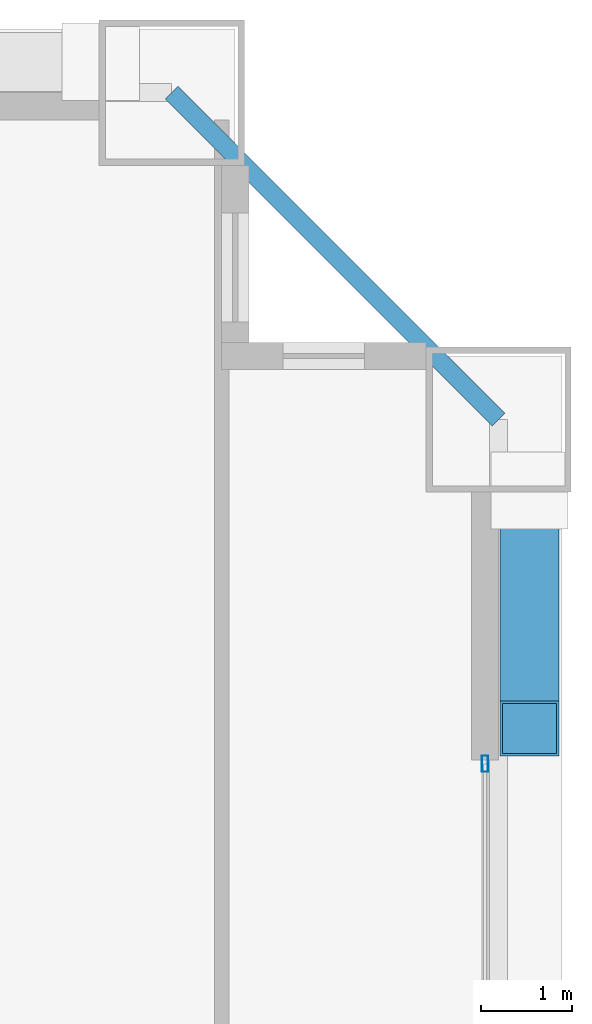
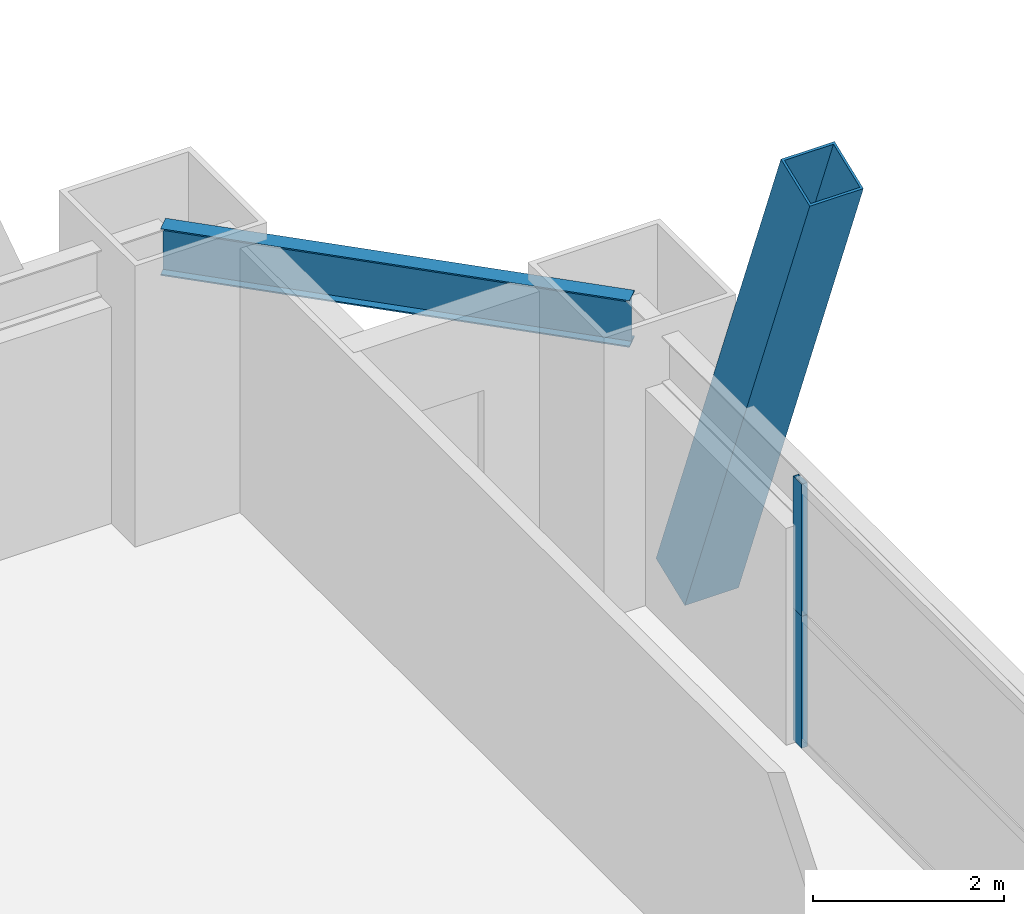
# One storey, part 34 of 43: 3 members, 1 beam, 1 element without a shape of its own.
"""IFC4 building model written with IfcOpenShell, lengths in metres."""

import ifcopenshell
import ifcopenshell.guid

model = None  # the IFC model being written
_history = None  # IfcOwnerHistory: only IFC2X3 demands one
_inside = {}  # id of a spatial element -> (the spatial element, [elements in it])
_under = {}  # id of a project, library or spatial element -> (it, [spatial elements below it])
_declared = {}  # id of a project -> (the project, [libraries it declares])
_typed = {}  # id of a type object -> (the type object, [elements of that type])
_made_of = {}  # id of a material, layer set ... -> (it, [elements and type objects made of it])


def new_model(schema):
    """Start an empty IFC model of exactly this schema.

    Asked for "IFC4X3", IfcOpenShell would pick the latest addendum, in which some entities
    have other attributes; the version numbers below select the first issue.
    IFC2X3 requires an IfcOwnerHistory on every rooted entity: one is made here for all.
    """
    global model, _history
    if schema == "IFC4X3":
        model = ifcopenshell.file(schema_version=(4, 3, 0, 0))
    else:
        model = ifcopenshell.file(schema=schema)
    _inside.clear()
    _under.clear()
    _declared.clear()
    _typed.clear()
    _made_of.clear()
    _history = None
    if model.schema == "IFC2X3":
        org = make("IfcOrganization", Name="unknown")
        user = make(
            "IfcPersonAndOrganization",
            ThePerson=make("IfcPerson", FamilyName="unknown"),
            TheOrganization=org,
        )
        app = make(
            "IfcApplication",
            ApplicationDeveloper=org,
            Version="unknown",
            ApplicationFullName="unknown",
            ApplicationIdentifier="unknown",
        )
        _history = make(
            "IfcOwnerHistory",
            OwningUser=user,
            OwningApplication=app,
            ChangeAction="ADDED",
            CreationDate=0,
        )
    return model


def make(cls, **values):
    """One entity of the class cls with the attributes given. An attribute that is None is left unset."""
    return model.create_entity(
        cls, **{name: value for name, value in values.items() if value is not None}
    )


def rooted(cls, **values):
    """An entity with a GlobalId (a new one), such as an element, a storey or a relation."""
    return make(cls, GlobalId=ifcopenshell.guid.new(), OwnerHistory=_history, **values)


def si_unit(unit_type, name, prefix=None):
    """IfcSIUnit, for example si_unit("LENGTHUNIT", "METRE", prefix="MILLI")."""
    return make("IfcSIUnit", UnitType=unit_type, Prefix=prefix, Name=name)


def assignment(units):
    """IfcUnitAssignment: the units of a project."""
    return None if units is None else make("IfcUnitAssignment", Units=units)


def point(xyz):
    """IfcCartesianPoint."""
    return None if xyz is None else make("IfcCartesianPoint", Coordinates=xyz)


def direction(xyz):
    """IfcDirection."""
    return None if xyz is None else make("IfcDirection", DirectionRatios=xyz)


def frame(location, z_axis=None, x_axis=None):
    """IfcAxis2Placement3D, a coordinate frame: its origin and axes. An axis left out is left unset."""
    return make(
        "IfcAxis2Placement3D",
        Location=point(location),
        Axis=direction(z_axis),
        RefDirection=direction(x_axis),
    )


def frame_2d(location, x_axis=None):
    """IfcAxis2Placement2D, a coordinate frame in the plane: its origin and x axis."""
    return make(
        "IfcAxis2Placement2D", Location=point(location), RefDirection=direction(x_axis)
    )


def origin():
    """The frame at (0, 0, 0) with its axes left unset."""
    return frame((0.0, 0.0, 0.0))


def origin_2d():
    """The frame at (0, 0) in the plane with its x axis left unset."""
    return frame_2d((0.0, 0.0))


def place(relative_to, where):
    """IfcLocalPlacement: puts the frame where relative to a parent placement (None: the world)."""
    return make(
        "IfcLocalPlacement", PlacementRelTo=relative_to, RelativePlacement=where
    )


def context(
    kind, dimensions, precision=None, world=None, true_north=None, identifier=None
):
    """IfcGeometricRepresentationContext, for example the 3D "Model" context."""
    return make(
        "IfcGeometricRepresentationContext",
        ContextIdentifier=identifier,
        ContextType=kind,
        CoordinateSpaceDimension=dimensions,
        Precision=precision,
        WorldCoordinateSystem=world,
        TrueNorth=true_north,
    )


def subcontext(parent, identifier, kind, view, scale=None):
    """IfcGeometricRepresentationSubContext, for example "Body" below "Model"."""
    return make(
        "IfcGeometricRepresentationSubContext",
        ContextIdentifier=identifier,
        ContextType=kind,
        ParentContext=parent,
        TargetScale=scale,
        TargetView=view,
    )


def project(units=None, contexts=None):
    """IfcProject with its units and contexts."""
    return rooted(
        "IfcProject",
        Name="project",
        RepresentationContexts=contexts,
        UnitsInContext=assignment(units),
    )


def spatial(cls, under=None, at=None, **own):
    """A site, building, storey or space (cls), placed at a placement, below another one or the project."""
    s = rooted(cls, ObjectPlacement=at, **own)
    if under is not None:
        _under.setdefault(under.id(), (under, []))[1].append(s)
    return s


def profile(cls, at=None, kind="AREA", **sizes):
    """A parametric profile (cls). Its sizes go by their IFC names, for example OverallWidth=200.0."""
    return make(cls, ProfileType=kind, Position=at, **sizes)


def hollow_rectangle(**sizes):
    """IfcRectangleHollowProfileDef."""
    return profile("IfcRectangleHollowProfileDef", **sizes)


def i_section(**sizes):
    """IfcIShapeProfileDef."""
    return profile("IfcIShapeProfileDef", **sizes)


def extrude(swept, where, along, depth):
    """IfcExtrudedAreaSolid: the profile swept, set in the frame where, extruded along a direction by depth."""
    return make(
        "IfcExtrudedAreaSolid",
        SweptArea=swept,
        Position=where,
        ExtrudedDirection=direction(along),
        Depth=depth,
    )


def shape(context_of_items, identifier, shape_type, items):
    """IfcShapeRepresentation: the items that make up one representation, for example the "Body"."""
    return make(
        "IfcShapeRepresentation",
        ContextOfItems=context_of_items,
        RepresentationIdentifier=identifier,
        RepresentationType=shape_type,
        Items=items,
    )


def source(mapping_origin, context_of_items, identifier, shape_type, items):
    """IfcRepresentationMap: a shape defined once, which mapped items show again and again."""
    return make(
        "IfcRepresentationMap",
        MappingOrigin=mapping_origin,
        MappedRepresentation=shape(context_of_items, identifier, shape_type, items),
    )


def transform(
    local_origin,
    x_axis=None,
    y_axis=None,
    z_axis=None,
    scale=None,
    scale2=None,
    scale3=None,
    uniform=True,
):
    """IfcCartesianTransformationOperator3D, or its non-uniform kind. x_axis, y_axis, z_axis: its Axis1, 2, 3."""
    if uniform:
        return make(
            "IfcCartesianTransformationOperator3D",
            Axis1=direction(x_axis),
            Axis2=direction(y_axis),
            LocalOrigin=point(local_origin),
            Scale=scale,
            Axis3=direction(z_axis),
        )
    return make(
        "IfcCartesianTransformationOperator3DnonUniform",
        Axis1=direction(x_axis),
        Axis2=direction(y_axis),
        LocalOrigin=point(local_origin),
        Scale=scale,
        Axis3=direction(z_axis),
        Scale2=scale2,
        Scale3=scale3,
    )


def mapped(mapping_source, mapping_target):
    """IfcMappedItem: shows the shape of a source again, moved by a transform."""
    return make(
        "IfcMappedItem", MappingSource=mapping_source, MappingTarget=mapping_target
    )


def material(Name=None, Category=None):
    """IfcMaterial."""
    return make("IfcMaterial", Name=Name, Category=Category)


def layer(
    of_material, thickness, ventilated=None, Name=None, Category=None, Priority=None
):
    """IfcMaterialLayer: one layer of a wall or slab, of a material (None: an air gap)."""
    return make(
        "IfcMaterialLayer",
        Material=of_material,
        LayerThickness=thickness,
        IsVentilated=ventilated,
        Name=Name,
        Category=Category,
        Priority=Priority,
    )


def layer_set(layers, Name=None):
    """IfcMaterialLayerSet."""
    return make("IfcMaterialLayerSet", MaterialLayers=layers, LayerSetName=Name)


def material_profile(
    of_material, cross_section, Name=None, Category=None, Priority=None
):
    """IfcMaterialProfile: a cross section and its material."""
    return make(
        "IfcMaterialProfile",
        Name=Name,
        Material=of_material,
        Profile=cross_section,
        Priority=Priority,
        Category=Category,
    )


def profile_set(profiles, Name=None, composite=None):
    """IfcMaterialProfileSet."""
    return make(
        "IfcMaterialProfileSet",
        Name=Name,
        MaterialProfiles=profiles,
        CompositeProfile=composite,
    )


def made_of(thing, what):
    """Note that an element or type object is made of a material, layer set ...; save() writes the relation."""
    if what is not None:
        _made_of.setdefault(what.id(), (what, []))[1].append(thing)
    return thing


def type_object(cls, material=None, **own):
    """A type object (cls), such as IfcWallType, which elements share."""
    return made_of(rooted(cls, **own), material)


def element(
    cls,
    number,
    at=None,
    inside=None,
    cuts=None,
    type_object=None,
    material=None,
    context=None,
    identifier="Body",
    shape_type=None,
    held_by="IfcProductDefinitionShape",
    body=None,
    shapes=None,
    **own,
):
    """One element of the class cls, such as IfcWall. Its Tag is "e" and its number.

    at: its placement. inside: the storey or other place that contains it. cuts: it is an
    opening in that element (IfcRelVoidsElement). A single representation is given by context,
    identifier, shape_type and body (its items); several are given by shapes. held_by: the class
    of the entity that holds the representations. save() writes the other relations.
    """
    e = rooted(cls, Tag="e%d" % number, ObjectPlacement=at, **own)
    if body is not None:
        shapes = [shape(context, identifier, shape_type, body)]
    if shapes is not None:
        e.Representation = make(held_by, Representations=shapes)
    if inside is not None:
        _inside.setdefault(inside.id(), (inside, []))[1].append(e)
    if cuts is not None:
        rooted(
            "IfcRelVoidsElement", RelatingBuildingElement=cuts, RelatedOpeningElement=e
        )
    if type_object is not None:
        _typed.setdefault(type_object.id(), (type_object, []))[1].append(e)
    return made_of(e, material)


def aggregate(whole, parts):
    """IfcRelAggregates: a whole, such as a stair, and the parts it consists of."""
    return rooted("IfcRelAggregates", RelatingObject=whole, RelatedObjects=parts)


def save(model, path):
    """Write the relations noted so far, then the file.

    IfcRelAggregates (storeys below a building ...), IfcRelContainedInSpatialStructure (elements
    in a storey), IfcRelDefinesByType, IfcRelAssociatesMaterial and IfcRelDeclares: one each for
    every whole, place, type object, material and project.
    """
    for whole, parts in _under.values():
        aggregate(whole, parts)
    for where, things in _inside.values():
        rooted(
            "IfcRelContainedInSpatialStructure",
            RelatedElements=things,
            RelatingStructure=where,
        )
    for kind, things in _typed.values():
        rooted("IfcRelDefinesByType", RelatedObjects=things, RelatingType=kind)
    for what, things in _made_of.values():
        rooted("IfcRelAssociatesMaterial", RelatedObjects=things, RelatingMaterial=what)
    for by, libraries in _declared.values():
        rooted("IfcRelDeclares", RelatingContext=by, RelatedDefinitions=libraries)
    model.write(path)


model = new_model("IFC4")

# Units and contexts
model_context = context("Model", 3, precision=1e-05, world=origin(), true_north=direction((0.0, 1.0)))
body_context = subcontext(model_context, "Body", "Model", "MODEL_VIEW")
ifc_project = project(units=[si_unit("LENGTHUNIT", "METRE"), si_unit("AREAUNIT", "SQUARE_METRE"), si_unit("VOLUMEUNIT", "CUBIC_METRE"), si_unit("PLANEANGLEUNIT", "RADIAN"), si_unit("MASSUNIT", "GRAM", prefix="KILO"), si_unit("THERMODYNAMICTEMPERATUREUNIT", "KELVIN"), si_unit("POWERUNIT", "WATT")], contexts=[model_context])

# Site, building, storey
site_placement = place(None, origin())
site = spatial("IfcSite", under=ifc_project, at=site_placement, CompositionType="ELEMENT")
building_placement = place(site_placement, origin())
building = spatial("IfcBuilding", under=site, at=building_placement, Name="Yuzanri Waterfront Tower", CompositionType="ELEMENT")
storey_placement = place(building_placement, frame((0.0, 0.0, 108.199951171875)))
storey = spatial("IfcBuildingStorey", under=building, at=storey_placement, Name="L28", CompositionType="ELEMENT", Elevation=108.199951171875)

# Beam
ifc_material_1 = material(Name="Steel Q355B", Category="steel")
ifc_material_profile_1 = material_profile(ifc_material_1, i_section(OverallWidth=0.199951171875, OverallDepth=0.60009765625, WebThickness=0.010986328125, FlangeThickness=0.01708984375, at=origin_2d()), Name="HN 600x200x11x17")
ifc_profile_set_1 = profile_set([ifc_material_profile_1], Name="Steel Q355B")
beam_type = type_object("IfcBeamType", Name="Perimeter Spandrel Q355B HN 600x200", PredefinedType="SPANDREL", material=ifc_profile_set_1)
shared_shape_1 = source(origin(), body_context, "Body", "SweptSolid", [
    extrude(i_section(OverallWidth=0.199951171875, OverallDepth=0.60009765625, WebThickness=0.010986328125, FlangeThickness=0.01708984375, at=origin_2d()), origin(), (0.0, 0.0, 1.0), 5.091064453125),
])
beam_placement = place(storey_placement, frame((60.60009765625, 45.800048828125, 3.080078125), z_axis=(-0.707130757816, 0.707082803744, 0.0), x_axis=(-0.707082803744, -0.707130757816, 0.0)))
element("IfcBeam", 1, at=beam_placement, inside=storey, type_object=beam_type, Name="L28 Perimeter Spandrel E3-N3", PredefinedType="SPANDREL", context=body_context, shape_type="MappedRepresentation", body=[
    mapped(shared_shape_1, transform((0.0, 0.0, 0.0), scale=1.0)),
])

# Member
ifc_material_2 = material(Name="Steel Q420GJC", Category="steel")
ifc_material_profile_2 = material_profile(ifc_material_2, hollow_rectangle(XDim=0.64990234375, YDim=0.64990234375, WallThickness=0.028076171875, at=origin_2d()), Name="RHS 650x650x28")
ifc_profile_set_2 = profile_set([ifc_material_profile_2], Name="Steel Q420GJC")
member_type_1 = type_object("IfcMemberType", Name="Mega Brace Lower Q420GJC RHS 650x650x28", PredefinedType="BRACE", material=ifc_profile_set_2)
shared_shape_2 = source(origin(), body_context, "Body", "SweptSolid", [
    extrude(hollow_rectangle(XDim=0.64990234375, YDim=0.64990234375, WallThickness=0.028076171875, at=origin_2d()), origin(), (0.0, 0.0, 1.0), 7.1943359375),
])
member_1_placement = place(storey_placement, frame((60.93994140625, 45.02001953125, 0.179931640625), z_axis=(0.0, -0.364194614794, 0.931322866977), x_axis=(1.0, 0.0, 0.0)))
element("IfcMember", 2, at=member_1_placement, inside=storey, type_object=member_type_1, Name="L28-L29 Perimeter Mega-Brace E-R", PredefinedType="BRACE", context=body_context, shape_type="MappedRepresentation", body=[
    mapped(shared_shape_2, transform((0.0, 0.0, 0.0), scale=1.0)),
])

# Curtain wall, members
ifc_material_3 = material(Name="Anodized Architectural Bronze", Category="metal")
ifc_layer = layer(ifc_material_3, 0.159912109375)
ifc_layer_set = layer_set([ifc_layer], Name="Anodized Architectural Bronze")
curtain_wall_type = type_object("IfcCurtainWallType", Name="Anodized Bronze Hotel Upper-Tier Solar-Control Unitized Curtain Wall 7800", PredefinedType="NOTDEFINED", material=ifc_layer_set)
curtain_wall_placement = place(storey_placement, origin())
curtain_wall = element("IfcCurtainWall", 3, at=curtain_wall_placement, inside=storey, type_object=curtain_wall_type, Name="L28 Curtain Wall CW-L28-ER", PredefinedType="NOTDEFINED")
ifc_material_4 = material(Name="Anodized Architectural Bronze", Category="metal")
ifc_material_profile_3 = material_profile(ifc_material_4, hollow_rectangle(XDim=0.070068359375, YDim=0.179931640625, WallThickness=0.00390625, at=origin_2d()), Name="CWM 70x180")
ifc_profile_set_3 = profile_set([ifc_material_profile_3], Name="Anodized Architectural Bronze")
member_type_2 = type_object("IfcMemberType", Name="Anodized Bronze Standard Curtain-Wall Mullion 70x180", PredefinedType="MULLION", material=ifc_profile_set_3)
shared_shape_3 = source(origin(), body_context, "Body", "SweptSolid", [
    extrude(hollow_rectangle(XDim=0.070068359375, YDim=0.179931640625, WallThickness=0.00390625, at=origin_2d()), origin(), (0.0, 0.0, 1.0), 1.68798828125),
])
member_2_placement = place(storey_placement, frame((60.449951171875, 42.010009765625, 0.0), z_axis=(0.0, 0.0, 1.0), x_axis=(1.0, 0.0, 0.0)))
member_2 = element("IfcMember", 4, at=member_2_placement, type_object=member_type_2, Name="CW-L28-ER Lower Mullion 02", PredefinedType="MULLION", context=body_context, shape_type="MappedRepresentation", body=[
    mapped(shared_shape_3, transform((0.0, 0.0, 0.0), scale=1.0)),
])
member_3_placement = place(storey_placement, frame((60.449951171875, 42.010009765625, 1.692138671875), z_axis=(0.0, 0.0, 1.0), x_axis=(1.0, 0.0, 0.0)))
member_3 = element("IfcMember", 5, at=member_3_placement, type_object=member_type_2, Name="CW-L28-ER Upper Mullion 02", PredefinedType="MULLION", context=body_context, shape_type="MappedRepresentation", body=[
    mapped(shared_shape_3, transform((0.0, 0.0, 0.0), scale=1.0)),
])
aggregate(curtain_wall, [member_2, member_3])

save(model, "model.ifc")
